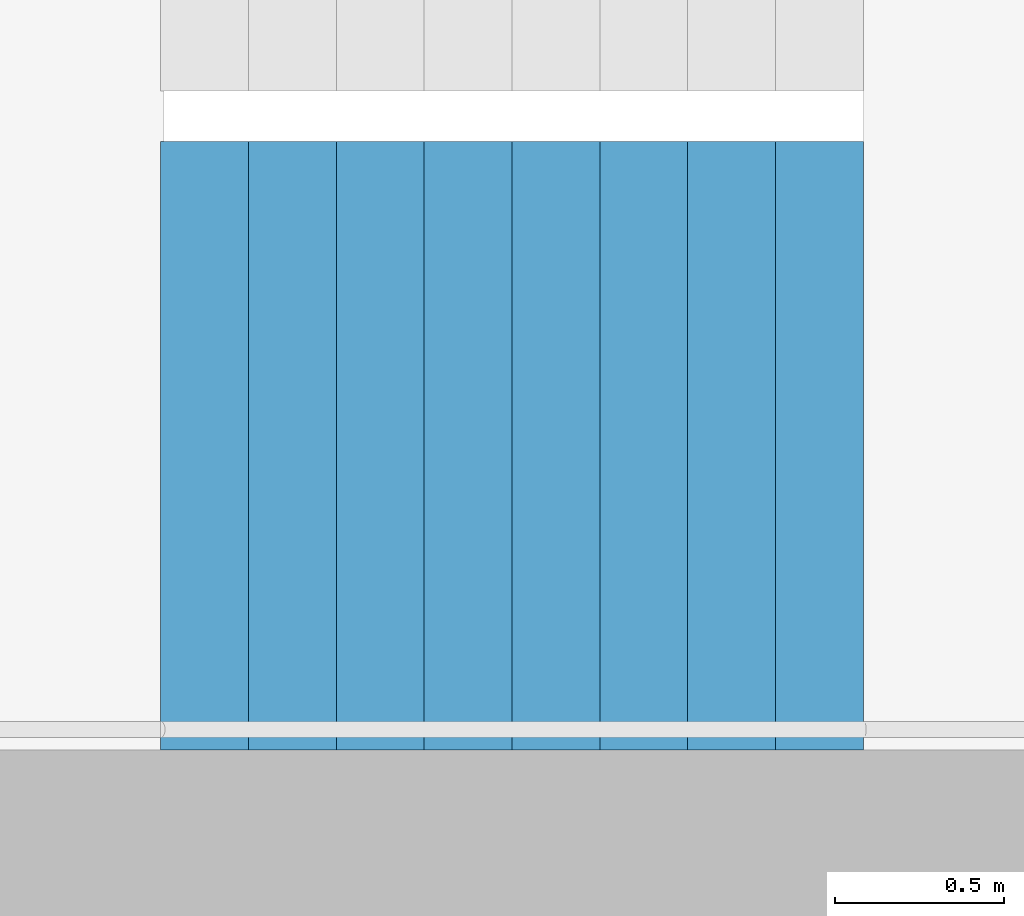
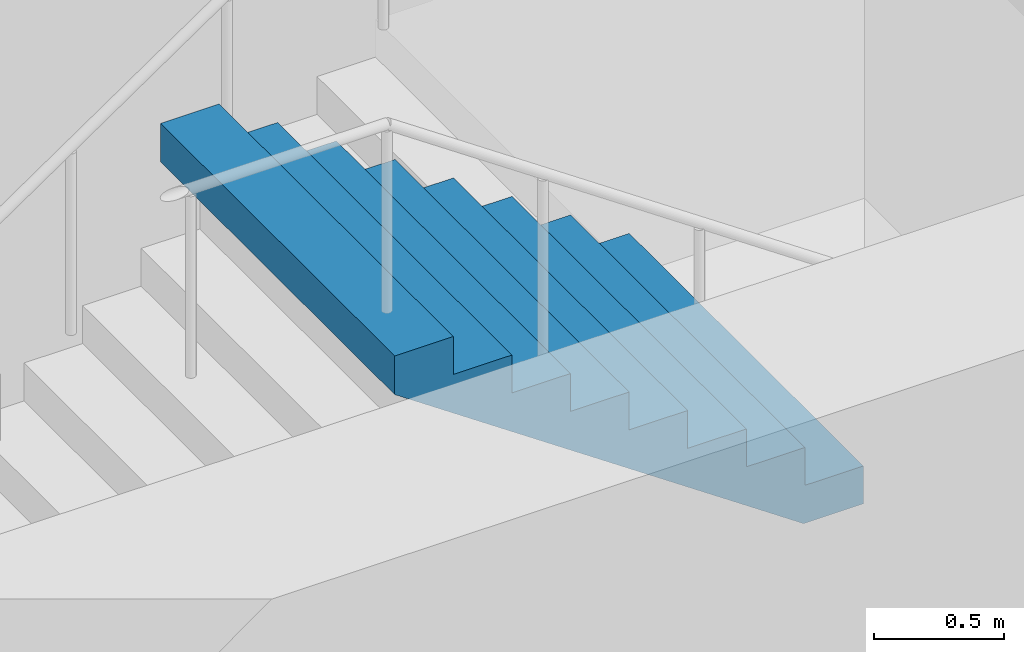
# One storey, part 25 of 29: 1 stair flight, 1 element without a shape of its own.
"""IFC4 building model written with IfcOpenShell, lengths in metres."""

from ifc_helpers import new_model, si_unit, direction, frame, origin, place, context, subcontext, project, spatial, triangles, material, type_object, element, aggregate, save


model = new_model("IFC4")

# Units and contexts
model_context = context("Model", 3, precision=1e-05, world=origin(), true_north=direction((0.0, 1.0)))
body_context = subcontext(model_context, "Body", "Model", "MODEL_VIEW")
ifc_project = project(units=[si_unit("LENGTHUNIT", "METRE"), si_unit("AREAUNIT", "SQUARE_METRE"), si_unit("VOLUMEUNIT", "CUBIC_METRE"), si_unit("PLANEANGLEUNIT", "RADIAN"), si_unit("MASSUNIT", "GRAM", prefix="KILO")], contexts=[model_context])

# Site, building, storey
site_placement = place(None, origin())
site = spatial("IfcSite", under=ifc_project, at=site_placement, CompositionType="ELEMENT")
building_placement = place(site_placement, origin())
building = spatial("IfcBuilding", under=site, at=building_placement, Name="Hakoniwa Tower and Hamabe Station Hall", CompositionType="ELEMENT")
storey_placement = place(building_placement, frame((0.0, 0.0, 23.0)))
storey = spatial("IfcBuildingStorey", under=building, at=storey_placement, Name="L05", CompositionType="ELEMENT", Elevation=23.0)

# Stair, stair flight
ifc_material_1 = material(Name="Concrete C40", Category="concrete")
stair_type = type_object("IfcStairType", Name="ESCAPE STAIR 1800", PredefinedType="HALF_TURN_STAIR", material=ifc_material_1)
stair_placement = place(storey_placement, origin())
stair = element("IfcStair", 1, at=stair_placement, inside=storey, type_object=stair_type, Name="Escape stair ST-4 L05", PredefinedType="HALF_TURN_STAIR")
ifc_material_2 = material(Name="Concrete C40", Category="concrete")
stair_flight_type = type_object("IfcStairFlightType", Name="STAIR FLIGHT 1800", PredefinedType="STRAIGHT", material=ifc_material_2)
stair_flight_placement = place(storey_placement, frame((25.47998046875, -6.60009765625, 1.60009765625), z_axis=(0.0, 0.0, 1.0), x_axis=(-1.0, 0.0, 0.0)))
stair_flight = element("IfcStairFlight", 2, at=stair_flight_placement, type_object=stair_flight_type, Name="ST-4 flight 2", NumberOfRisers=9, NumberOfTreads=8, PredefinedType="STRAIGHT", RiserHeight=0.177777778, TreadLength=0.26, context=body_context, shape_type="Tessellation", body=[
    triangles([(0.0, 0.89990234375, 0.0), (0.260009765625, 0.89990234375, 0.0), (0.265625, 0.89990234375, 0.0), (0.52001953125, 0.89990234375, 0.174072265625), (0.780029296875, 0.89990234375, 0.351806640625), (1.0400390625, 0.89990234375, 0.529541015625), (1.300048828125, 0.89990234375, 0.707275390625), (1.56005859375, 0.89990234375, 0.885009765625), (1.820068359375, 0.89990234375, 1.062744140625), (2.080078125, 0.89990234375, 1.24072265625), (2.080078125, 0.89990234375, 1.422119140625), (1.820068359375, 0.89990234375, 1.422119140625), (1.820068359375, 0.89990234375, 1.244384765625), (1.56005859375, 0.89990234375, 1.244384765625), (1.56005859375, 0.89990234375, 1.066650390625), (1.300048828125, 0.89990234375, 1.066650390625), (1.300048828125, 0.89990234375, 0.888916015625), (1.0400390625, 0.89990234375, 0.888916015625), (1.0400390625, 0.89990234375, 0.711181640625), (0.780029296875, 0.89990234375, 0.711181640625), (0.780029296875, 0.89990234375, 0.533447265625), (0.52001953125, 0.89990234375, 0.533447265625), (0.52001953125, 0.89990234375, 0.35546875), (0.265625, 0.89990234375, 0.35546875), (0.260009765625, 0.89990234375, 0.35546875), (0.260009765625, 0.89990234375, 0.177734375), (0.0, 0.89990234375, 0.177734375), (0.0, 0.06005859375, 0.0), (0.260009765625, 0.06005859375, 0.0), (0.265625, 0.06005859375, 0.0), (0.52001953125, 0.06005859375, 0.174072265625), (0.780029296875, 0.06005859375, 0.351806640625), (1.0400390625, 0.06005859375, 0.529541015625), (1.300048828125, 0.06005859375, 0.707275390625), (1.56005859375, 0.06005859375, 0.885009765625), (1.820068359375, 0.06005859375, 1.062744140625), (2.080078125, 0.06005859375, 1.24072265625), (2.080078125, 0.06005859375, 1.422119140625), (1.820068359375, 0.06005859375, 1.422119140625), (1.820068359375, 0.06005859375, 1.244384765625), (1.56005859375, 0.06005859375, 1.244384765625), (1.56005859375, 0.06005859375, 1.066650390625), (1.300048828125, 0.06005859375, 1.066650390625), (1.300048828125, 0.06005859375, 0.888916015625), (1.0400390625, 0.06005859375, 0.888916015625), (1.0400390625, 0.06005859375, 0.711181640625), (0.780029296875, 0.06005859375, 0.711181640625), (0.780029296875, 0.06005859375, 0.533447265625), (0.52001953125, 0.06005859375, 0.533447265625), (0.52001953125, 0.06005859375, 0.35546875), (0.265625, 0.06005859375, 0.35546875), (0.260009765625, 0.06005859375, 0.35546875), (0.260009765625, 0.06005859375, 0.177734375), (0.0, 0.06005859375, 0.177734375), (0.0, 0.04296875, 0.0), (0.260009765625, 0.04296875, 0.0), (0.265625, 0.04296875, 0.0), (0.52001953125, 0.04296875, 0.174072265625), (0.780029296875, 0.04296875, 0.351806640625), (1.0400390625, 0.04296875, 0.529541015625), (1.300048828125, 0.04296875, 0.707275390625), (1.56005859375, 0.04296875, 0.885009765625), (1.820068359375, 0.04296875, 1.062744140625), (2.080078125, 0.04296875, 1.24072265625), (2.080078125, 0.04296875, 1.422119140625), (1.820068359375, 0.04296875, 1.422119140625), (1.820068359375, 0.04296875, 1.244384765625), (1.56005859375, 0.04296875, 1.244384765625), (1.56005859375, 0.04296875, 1.066650390625), (1.300048828125, 0.04296875, 1.066650390625), (1.300048828125, 0.04296875, 0.888916015625), (1.0400390625, 0.04296875, 0.888916015625), (1.0400390625, 0.04296875, 0.711181640625), (0.780029296875, 0.04296875, 0.711181640625), (0.780029296875, 0.04296875, 0.533447265625), (0.52001953125, 0.04296875, 0.533447265625), (0.52001953125, 0.04296875, 0.35546875), (0.265625, 0.04296875, 0.35546875), (0.260009765625, 0.04296875, 0.35546875), (0.260009765625, 0.04296875, 0.177734375), (0.0, 0.04296875, 0.177734375), (0.0, 0.025634765625, 0.0), (0.260009765625, 0.025634765625, 0.0), (0.265625, 0.025634765625, 0.0), (0.52001953125, 0.025634765625, 0.174072265625), (0.780029296875, 0.025634765625, 0.351806640625), (1.0400390625, 0.025634765625, 0.529541015625), (1.300048828125, 0.025634765625, 0.707275390625), (1.56005859375, 0.025634765625, 0.885009765625), (1.820068359375, 0.025634765625, 1.062744140625), (2.080078125, 0.025634765625, 1.24072265625), (2.080078125, 0.025634765625, 1.422119140625), (1.820068359375, 0.025634765625, 1.422119140625), (1.820068359375, 0.025634765625, 1.244384765625), (1.56005859375, 0.025634765625, 1.244384765625), (1.56005859375, 0.025634765625, 1.066650390625), (1.300048828125, 0.025634765625, 1.066650390625), (1.300048828125, 0.025634765625, 0.888916015625), (1.0400390625, 0.025634765625, 0.888916015625), (1.0400390625, 0.025634765625, 0.711181640625), (0.780029296875, 0.025634765625, 0.711181640625), (0.780029296875, 0.025634765625, 0.533447265625), (0.52001953125, 0.025634765625, 0.533447265625), (0.52001953125, 0.025634765625, 0.35546875), (0.265625, 0.025634765625, 0.35546875), (0.260009765625, 0.025634765625, 0.35546875), (0.260009765625, 0.025634765625, 0.177734375), (0.0, 0.025634765625, 0.177734375), (0.0, 0.008544921875, 0.0), (0.260009765625, 0.008544921875, 0.0), (0.265625, 0.008544921875, 0.0), (0.52001953125, 0.008544921875, 0.174072265625), (0.780029296875, 0.008544921875, 0.351806640625), (1.0400390625, 0.008544921875, 0.529541015625), (1.300048828125, 0.008544921875, 0.707275390625), (1.56005859375, 0.008544921875, 0.885009765625), (1.820068359375, 0.008544921875, 1.062744140625), (2.080078125, 0.008544921875, 1.24072265625), (2.080078125, 0.008544921875, 1.422119140625), (1.820068359375, 0.008544921875, 1.422119140625), (1.820068359375, 0.008544921875, 1.244384765625), (1.56005859375, 0.008544921875, 1.244384765625), (1.56005859375, 0.008544921875, 1.066650390625), (1.300048828125, 0.008544921875, 1.066650390625), (1.300048828125, 0.008544921875, 0.888916015625), (1.0400390625, 0.008544921875, 0.888916015625), (1.0400390625, 0.008544921875, 0.711181640625), (0.780029296875, 0.008544921875, 0.711181640625), (0.780029296875, 0.008544921875, 0.533447265625), (0.52001953125, 0.008544921875, 0.533447265625), (0.52001953125, 0.008544921875, 0.35546875), (0.265625, 0.008544921875, 0.35546875), (0.260009765625, 0.008544921875, 0.35546875), (0.260009765625, 0.008544921875, 0.177734375), (0.0, 0.008544921875, 0.177734375), (0.0, -0.008544921875, 0.0), (0.260009765625, -0.008544921875, 0.0), (0.265625, -0.008544921875, 0.0), (0.52001953125, -0.008544921875, 0.174072265625), (0.780029296875, -0.008544921875, 0.351806640625), (1.0400390625, -0.008544921875, 0.529541015625), (1.300048828125, -0.008544921875, 0.707275390625), (1.56005859375, -0.008544921875, 0.885009765625), (1.820068359375, -0.008544921875, 1.062744140625), (2.080078125, -0.008544921875, 1.24072265625), (2.080078125, -0.008544921875, 1.422119140625), (1.820068359375, -0.008544921875, 1.422119140625), (1.820068359375, -0.008544921875, 1.244384765625), (1.56005859375, -0.008544921875, 1.244384765625), (1.56005859375, -0.008544921875, 1.066650390625), (1.300048828125, -0.008544921875, 1.066650390625), (1.300048828125, -0.008544921875, 0.888916015625), (1.0400390625, -0.008544921875, 0.888916015625), (1.0400390625, -0.008544921875, 0.711181640625), (0.780029296875, -0.008544921875, 0.711181640625), (0.780029296875, -0.008544921875, 0.533447265625), (0.52001953125, -0.008544921875, 0.533447265625), (0.52001953125, -0.008544921875, 0.35546875), (0.265625, -0.008544921875, 0.35546875), (0.260009765625, -0.008544921875, 0.35546875), (0.260009765625, -0.008544921875, 0.177734375), (0.0, -0.008544921875, 0.177734375), (0.0, -0.025634765625, 0.0), (0.260009765625, -0.025634765625, 0.0), (0.265625, -0.025634765625, 0.0), (0.52001953125, -0.025634765625, 0.174072265625), (0.780029296875, -0.025634765625, 0.351806640625), (1.0400390625, -0.025634765625, 0.529541015625), (1.300048828125, -0.025634765625, 0.707275390625), (1.56005859375, -0.025634765625, 0.885009765625), (1.820068359375, -0.025634765625, 1.062744140625), (2.080078125, -0.025634765625, 1.24072265625), (2.080078125, -0.025634765625, 1.422119140625), (1.820068359375, -0.025634765625, 1.422119140625), (1.820068359375, -0.025634765625, 1.244384765625), (1.56005859375, -0.025634765625, 1.244384765625), (1.56005859375, -0.025634765625, 1.066650390625), (1.300048828125, -0.025634765625, 1.066650390625), (1.300048828125, -0.025634765625, 0.888916015625), (1.0400390625, -0.025634765625, 0.888916015625), (1.0400390625, -0.025634765625, 0.711181640625), (0.780029296875, -0.025634765625, 0.711181640625), (0.780029296875, -0.025634765625, 0.533447265625), (0.52001953125, -0.025634765625, 0.533447265625), (0.52001953125, -0.025634765625, 0.35546875), (0.265625, -0.025634765625, 0.35546875), (0.260009765625, -0.025634765625, 0.35546875), (0.260009765625, -0.025634765625, 0.177734375), (0.0, -0.025634765625, 0.177734375), (0.0, -0.04296875, 0.0), (0.260009765625, -0.04296875, 0.0), (0.265625, -0.04296875, 0.0), (0.52001953125, -0.04296875, 0.174072265625), (0.780029296875, -0.04296875, 0.351806640625), (1.0400390625, -0.04296875, 0.529541015625), (1.300048828125, -0.04296875, 0.707275390625), (1.56005859375, -0.04296875, 0.885009765625), (1.820068359375, -0.04296875, 1.062744140625), (2.080078125, -0.04296875, 1.24072265625), (2.080078125, -0.04296875, 1.422119140625), (1.820068359375, -0.04296875, 1.422119140625), (1.820068359375, -0.04296875, 1.244384765625), (1.56005859375, -0.04296875, 1.244384765625), (1.56005859375, -0.04296875, 1.066650390625), (1.300048828125, -0.04296875, 1.066650390625), (1.300048828125, -0.04296875, 0.888916015625), (1.0400390625, -0.04296875, 0.888916015625), (1.0400390625, -0.04296875, 0.711181640625), (0.780029296875, -0.04296875, 0.711181640625), (0.780029296875, -0.04296875, 0.533447265625), (0.52001953125, -0.04296875, 0.533447265625), (0.52001953125, -0.04296875, 0.35546875), (0.265625, -0.04296875, 0.35546875), (0.260009765625, -0.04296875, 0.35546875), (0.260009765625, -0.04296875, 0.177734375), (0.0, -0.04296875, 0.177734375), (0.0, -0.06005859375, 0.0), (0.260009765625, -0.06005859375, 0.0), (0.265625, -0.06005859375, 0.0), (0.52001953125, -0.06005859375, 0.174072265625), (0.780029296875, -0.06005859375, 0.351806640625), (1.0400390625, -0.06005859375, 0.529541015625), (1.300048828125, -0.06005859375, 0.707275390625), (1.56005859375, -0.06005859375, 0.885009765625), (1.820068359375, -0.06005859375, 1.062744140625), (2.080078125, -0.06005859375, 1.24072265625), (2.080078125, -0.06005859375, 1.422119140625), (1.820068359375, -0.06005859375, 1.422119140625), (1.820068359375, -0.06005859375, 1.244384765625), (1.56005859375, -0.06005859375, 1.244384765625), (1.56005859375, -0.06005859375, 1.066650390625), (1.300048828125, -0.06005859375, 1.066650390625), (1.300048828125, -0.06005859375, 0.888916015625), (1.0400390625, -0.06005859375, 0.888916015625), (1.0400390625, -0.06005859375, 0.711181640625), (0.780029296875, -0.06005859375, 0.711181640625), (0.780029296875, -0.06005859375, 0.533447265625), (0.52001953125, -0.06005859375, 0.533447265625), (0.52001953125, -0.06005859375, 0.35546875), (0.265625, -0.06005859375, 0.35546875), (0.260009765625, -0.06005859375, 0.35546875), (0.260009765625, -0.06005859375, 0.177734375), (0.0, -0.06005859375, 0.177734375), (0.0, -0.89990234375, 0.0), (0.260009765625, -0.89990234375, 0.0), (0.265625, -0.89990234375, 0.0), (0.52001953125, -0.89990234375, 0.174072265625), (0.780029296875, -0.89990234375, 0.351806640625), (1.0400390625, -0.89990234375, 0.529541015625), (1.300048828125, -0.89990234375, 0.707275390625), (1.56005859375, -0.89990234375, 0.885009765625), (1.820068359375, -0.89990234375, 1.062744140625), (2.080078125, -0.89990234375, 1.24072265625), (2.080078125, -0.89990234375, 1.422119140625), (1.820068359375, -0.89990234375, 1.422119140625), (1.820068359375, -0.89990234375, 1.244384765625), (1.56005859375, -0.89990234375, 1.244384765625), (1.56005859375, -0.89990234375, 1.066650390625), (1.300048828125, -0.89990234375, 1.066650390625), (1.300048828125, -0.89990234375, 0.888916015625), (1.0400390625, -0.89990234375, 0.888916015625), (1.0400390625, -0.89990234375, 0.711181640625), (0.780029296875, -0.89990234375, 0.711181640625), (0.780029296875, -0.89990234375, 0.533447265625), (0.52001953125, -0.89990234375, 0.533447265625), (0.52001953125, -0.89990234375, 0.35546875), (0.265625, -0.89990234375, 0.35546875), (0.260009765625, -0.89990234375, 0.35546875), (0.260009765625, -0.89990234375, 0.177734375), (0.0, -0.89990234375, 0.177734375)], [[2, 27, 26], [245, 269, 270], [2, 1, 27], [245, 270, 244], [3, 25, 24], [246, 267, 268], [3, 26, 25], [246, 268, 269], [3, 2, 26], [246, 269, 245], [4, 24, 23], [247, 266, 267], [4, 3, 24], [247, 267, 246], [5, 22, 21], [248, 264, 265], [5, 23, 22], [248, 265, 266], [5, 4, 23], [248, 266, 247], [6, 20, 19], [249, 262, 263], [6, 21, 20], [249, 263, 264], [6, 5, 21], [249, 264, 248], [7, 18, 17], [250, 260, 261], [7, 19, 18], [250, 261, 262], [7, 6, 19], [250, 262, 249], [8, 16, 15], [251, 258, 259], [8, 17, 16], [251, 259, 260], [8, 7, 17], [251, 260, 250], [9, 14, 13], [252, 256, 257], [9, 15, 14], [252, 257, 258], [9, 8, 15], [252, 258, 251], [10, 12, 11], [253, 254, 255], [10, 13, 12], [253, 255, 256], [10, 9, 13], [253, 256, 252], [1, 2, 29], [1, 29, 28], [28, 29, 56], [28, 56, 55], [55, 56, 83], [55, 83, 82], [82, 83, 110], [82, 110, 109], [109, 110, 137], [109, 137, 136], [136, 137, 164], [136, 164, 163], [163, 164, 191], [163, 191, 190], [190, 191, 218], [190, 218, 217], [217, 218, 245], [217, 245, 244], [2, 3, 30], [2, 30, 29], [29, 30, 57], [29, 57, 56], [56, 57, 84], [56, 84, 83], [83, 84, 111], [83, 111, 110], [110, 111, 138], [110, 138, 137], [137, 138, 165], [137, 165, 164], [164, 165, 192], [164, 192, 191], [191, 192, 219], [191, 219, 218], [218, 219, 246], [218, 246, 245], [3, 4, 31], [3, 31, 30], [30, 31, 58], [30, 58, 57], [57, 58, 85], [57, 85, 84], [84, 85, 112], [84, 112, 111], [111, 112, 139], [111, 139, 138], [138, 139, 166], [138, 166, 165], [165, 166, 193], [165, 193, 192], [192, 193, 220], [192, 220, 219], [219, 220, 247], [219, 247, 246], [4, 5, 32], [4, 32, 31], [31, 32, 59], [31, 59, 58], [58, 59, 86], [58, 86, 85], [85, 86, 113], [85, 113, 112], [112, 113, 140], [112, 140, 139], [139, 140, 167], [139, 167, 166], [166, 167, 194], [166, 194, 193], [193, 194, 221], [193, 221, 220], [220, 221, 248], [220, 248, 247], [5, 6, 33], [5, 33, 32], [32, 33, 60], [32, 60, 59], [59, 60, 87], [59, 87, 86], [86, 87, 114], [86, 114, 113], [113, 114, 141], [113, 141, 140], [140, 141, 168], [140, 168, 167], [167, 168, 195], [167, 195, 194], [194, 195, 222], [194, 222, 221], [221, 222, 249], [221, 249, 248], [6, 7, 34], [6, 34, 33], [33, 34, 61], [33, 61, 60], [60, 61, 88], [60, 88, 87], [87, 88, 115], [87, 115, 114], [114, 115, 142], [114, 142, 141], [141, 142, 169], [141, 169, 168], [168, 169, 196], [168, 196, 195], [195, 196, 223], [195, 223, 222], [222, 223, 250], [222, 250, 249], [7, 8, 35], [7, 35, 34], [34, 35, 62], [34, 62, 61], [61, 62, 89], [61, 89, 88], [88, 89, 116], [88, 116, 115], [115, 116, 143], [115, 143, 142], [142, 143, 170], [142, 170, 169], [169, 170, 197], [169, 197, 196], [196, 197, 224], [196, 224, 223], [223, 224, 251], [223, 251, 250], [8, 9, 36], [8, 36, 35], [35, 36, 63], [35, 63, 62], [62, 63, 90], [62, 90, 89], [89, 90, 117], [89, 117, 116], [116, 117, 144], [116, 144, 143], [143, 144, 171], [143, 171, 170], [170, 171, 198], [170, 198, 197], [197, 198, 225], [197, 225, 224], [224, 225, 252], [224, 252, 251], [9, 10, 37], [9, 37, 36], [36, 37, 64], [36, 64, 63], [63, 64, 91], [63, 91, 90], [90, 91, 118], [90, 118, 117], [117, 118, 145], [117, 145, 144], [144, 145, 172], [144, 172, 171], [171, 172, 199], [171, 199, 198], [198, 199, 226], [198, 226, 225], [225, 226, 253], [225, 253, 252], [10, 11, 38], [10, 38, 37], [37, 38, 65], [37, 65, 64], [64, 65, 92], [64, 92, 91], [91, 92, 119], [91, 119, 118], [118, 119, 146], [118, 146, 145], [145, 146, 173], [145, 173, 172], [172, 173, 200], [172, 200, 199], [199, 200, 227], [199, 227, 226], [226, 227, 254], [226, 254, 253], [11, 12, 39], [11, 39, 38], [38, 39, 66], [38, 66, 65], [65, 66, 93], [65, 93, 92], [92, 93, 120], [92, 120, 119], [119, 120, 147], [119, 147, 146], [146, 147, 174], [146, 174, 173], [173, 174, 201], [173, 201, 200], [200, 201, 228], [200, 228, 227], [227, 228, 255], [227, 255, 254], [12, 13, 40], [12, 40, 39], [39, 40, 67], [39, 67, 66], [66, 67, 94], [66, 94, 93], [93, 94, 121], [93, 121, 120], [120, 121, 148], [120, 148, 147], [147, 148, 175], [147, 175, 174], [174, 175, 202], [174, 202, 201], [201, 202, 229], [201, 229, 228], [228, 229, 256], [228, 256, 255], [13, 14, 41], [13, 41, 40], [40, 41, 68], [40, 68, 67], [67, 68, 95], [67, 95, 94], [94, 95, 122], [94, 122, 121], [121, 122, 149], [121, 149, 148], [148, 149, 176], [148, 176, 175], [175, 176, 203], [175, 203, 202], [202, 203, 230], [202, 230, 229], [229, 230, 257], [229, 257, 256], [14, 15, 42], [14, 42, 41], [41, 42, 69], [41, 69, 68], [68, 69, 96], [68, 96, 95], [95, 96, 123], [95, 123, 122], [122, 123, 150], [122, 150, 149], [149, 150, 177], [149, 177, 176], [176, 177, 204], [176, 204, 203], [203, 204, 231], [203, 231, 230], [230, 231, 258], [230, 258, 257], [15, 16, 43], [15, 43, 42], [42, 43, 70], [42, 70, 69], [69, 70, 97], [69, 97, 96], [96, 97, 124], [96, 124, 123], [123, 124, 151], [123, 151, 150], [150, 151, 178], [150, 178, 177], [177, 178, 205], [177, 205, 204], [204, 205, 232], [204, 232, 231], [231, 232, 259], [231, 259, 258], [16, 17, 44], [16, 44, 43], [43, 44, 71], [43, 71, 70], [70, 71, 98], [70, 98, 97], [97, 98, 125], [97, 125, 124], [124, 125, 152], [124, 152, 151], [151, 152, 179], [151, 179, 178], [178, 179, 206], [178, 206, 205], [205, 206, 233], [205, 233, 232], [232, 233, 260], [232, 260, 259], [17, 18, 45], [17, 45, 44], [44, 45, 72], [44, 72, 71], [71, 72, 99], [71, 99, 98], [98, 99, 126], [98, 126, 125], [125, 126, 153], [125, 153, 152], [152, 153, 180], [152, 180, 179], [179, 180, 207], [179, 207, 206], [206, 207, 234], [206, 234, 233], [233, 234, 261], [233, 261, 260], [18, 19, 46], [18, 46, 45], [45, 46, 73], [45, 73, 72], [72, 73, 100], [72, 100, 99], [99, 100, 127], [99, 127, 126], [126, 127, 154], [126, 154, 153], [153, 154, 181], [153, 181, 180], [180, 181, 208], [180, 208, 207], [207, 208, 235], [207, 235, 234], [234, 235, 262], [234, 262, 261], [19, 20, 47], [19, 47, 46], [46, 47, 74], [46, 74, 73], [73, 74, 101], [73, 101, 100], [100, 101, 128], [100, 128, 127], [127, 128, 155], [127, 155, 154], [154, 155, 182], [154, 182, 181], [181, 182, 209], [181, 209, 208], [208, 209, 236], [208, 236, 235], [235, 236, 263], [235, 263, 262], [20, 21, 48], [20, 48, 47], [47, 48, 75], [47, 75, 74], [74, 75, 102], [74, 102, 101], [101, 102, 129], [101, 129, 128], [128, 129, 156], [128, 156, 155], [155, 156, 183], [155, 183, 182], [182, 183, 210], [182, 210, 209], [209, 210, 237], [209, 237, 236], [236, 237, 264], [236, 264, 263], [21, 22, 49], [21, 49, 48], [48, 49, 76], [48, 76, 75], [75, 76, 103], [75, 103, 102], [102, 103, 130], [102, 130, 129], [129, 130, 157], [129, 157, 156], [156, 157, 184], [156, 184, 183], [183, 184, 211], [183, 211, 210], [210, 211, 238], [210, 238, 237], [237, 238, 265], [237, 265, 264], [22, 23, 50], [22, 50, 49], [49, 50, 77], [49, 77, 76], [76, 77, 104], [76, 104, 103], [103, 104, 131], [103, 131, 130], [130, 131, 158], [130, 158, 157], [157, 158, 185], [157, 185, 184], [184, 185, 212], [184, 212, 211], [211, 212, 239], [211, 239, 238], [238, 239, 266], [238, 266, 265], [23, 24, 51], [23, 51, 50], [50, 51, 78], [50, 78, 77], [77, 78, 105], [77, 105, 104], [104, 105, 132], [104, 132, 131], [131, 132, 159], [131, 159, 158], [158, 159, 186], [158, 186, 185], [185, 186, 213], [185, 213, 212], [212, 213, 240], [212, 240, 239], [239, 240, 267], [239, 267, 266], [24, 25, 52], [24, 52, 51], [51, 52, 79], [51, 79, 78], [78, 79, 106], [78, 106, 105], [105, 106, 133], [105, 133, 132], [132, 133, 160], [132, 160, 159], [159, 160, 187], [159, 187, 186], [186, 187, 214], [186, 214, 213], [213, 214, 241], [213, 241, 240], [240, 241, 268], [240, 268, 267], [25, 26, 53], [25, 53, 52], [52, 53, 80], [52, 80, 79], [79, 80, 107], [79, 107, 106], [106, 107, 134], [106, 134, 133], [133, 134, 161], [133, 161, 160], [160, 161, 188], [160, 188, 187], [187, 188, 215], [187, 215, 214], [214, 215, 242], [214, 242, 241], [241, 242, 269], [241, 269, 268], [26, 27, 54], [26, 54, 53], [53, 54, 81], [53, 81, 80], [80, 81, 108], [80, 108, 107], [107, 108, 135], [107, 135, 134], [134, 135, 162], [134, 162, 161], [161, 162, 189], [161, 189, 188], [188, 189, 216], [188, 216, 215], [215, 216, 243], [215, 243, 242], [242, 243, 270], [242, 270, 269], [27, 1, 28], [27, 28, 54], [54, 28, 55], [54, 55, 81], [81, 55, 82], [81, 82, 108], [108, 82, 109], [108, 109, 135], [135, 109, 136], [135, 136, 162], [162, 136, 163], [162, 163, 189], [189, 163, 190], [189, 190, 216], [216, 190, 217], [216, 217, 243], [243, 217, 244], [243, 244, 270]], closed=True),
])
aggregate(stair, [stair_flight])

save(model, "model.ifc")
